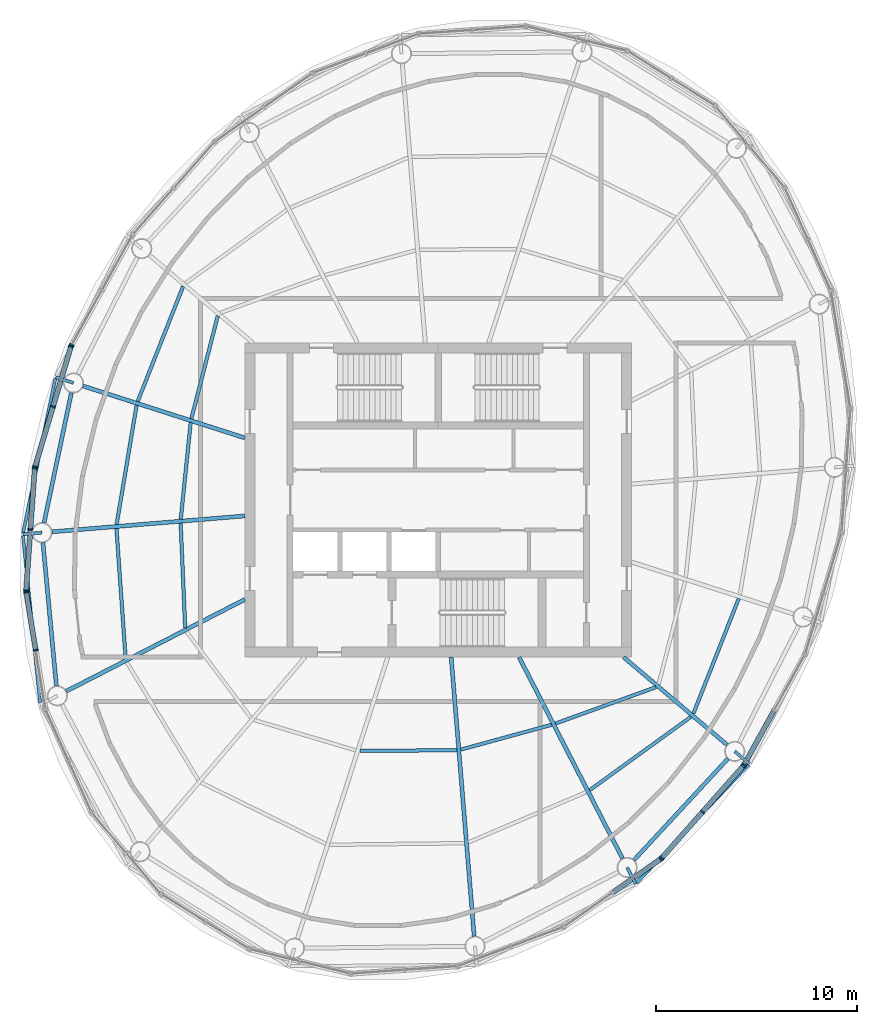
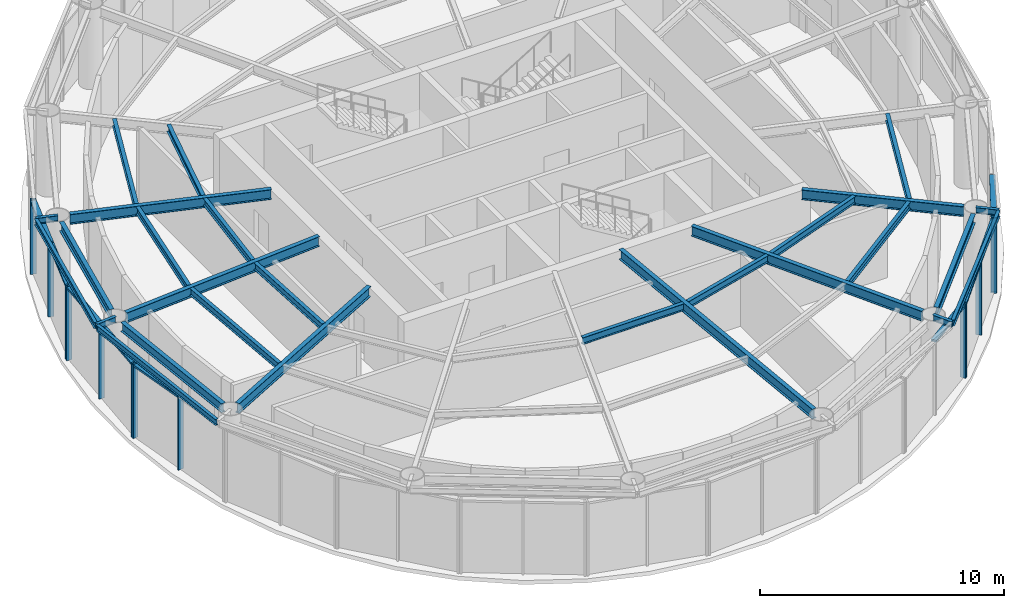
# One storey, part 3 of 11: 27 beams, 23 members, 7 elements without a shape of their own.
"""IFC4 building model written with IfcOpenShell, lengths in metres."""

import ifcopenshell
import ifcopenshell.guid

model = None  # the IFC model being written
_history = None  # IfcOwnerHistory: only IFC2X3 demands one
_inside = {}  # id of a spatial element -> (the spatial element, [elements in it])
_under = {}  # id of a project, library or spatial element -> (it, [spatial elements below it])
_declared = {}  # id of a project -> (the project, [libraries it declares])
_typed = {}  # id of a type object -> (the type object, [elements of that type])
_made_of = {}  # id of a material, layer set ... -> (it, [elements and type objects made of it])


def new_model(schema):
    """Start an empty IFC model of exactly this schema.

    Asked for "IFC4X3", IfcOpenShell would pick the latest addendum, in which some entities
    have other attributes; the version numbers below select the first issue.
    IFC2X3 requires an IfcOwnerHistory on every rooted entity: one is made here for all.
    """
    global model, _history
    if schema == "IFC4X3":
        model = ifcopenshell.file(schema_version=(4, 3, 0, 0))
    else:
        model = ifcopenshell.file(schema=schema)
    _inside.clear()
    _under.clear()
    _declared.clear()
    _typed.clear()
    _made_of.clear()
    _history = None
    if model.schema == "IFC2X3":
        org = make("IfcOrganization", Name="unknown")
        user = make(
            "IfcPersonAndOrganization",
            ThePerson=make("IfcPerson", FamilyName="unknown"),
            TheOrganization=org,
        )
        app = make(
            "IfcApplication",
            ApplicationDeveloper=org,
            Version="unknown",
            ApplicationFullName="unknown",
            ApplicationIdentifier="unknown",
        )
        _history = make(
            "IfcOwnerHistory",
            OwningUser=user,
            OwningApplication=app,
            ChangeAction="ADDED",
            CreationDate=0,
        )
    return model


def make(cls, **values):
    """One entity of the class cls with the attributes given. An attribute that is None is left unset."""
    return model.create_entity(
        cls, **{name: value for name, value in values.items() if value is not None}
    )


def rooted(cls, **values):
    """An entity with a GlobalId (a new one), such as an element, a storey or a relation."""
    return make(cls, GlobalId=ifcopenshell.guid.new(), OwnerHistory=_history, **values)


def si_unit(unit_type, name, prefix=None):
    """IfcSIUnit, for example si_unit("LENGTHUNIT", "METRE", prefix="MILLI")."""
    return make("IfcSIUnit", UnitType=unit_type, Prefix=prefix, Name=name)


def assignment(units):
    """IfcUnitAssignment: the units of a project."""
    return None if units is None else make("IfcUnitAssignment", Units=units)


def point(xyz):
    """IfcCartesianPoint."""
    return None if xyz is None else make("IfcCartesianPoint", Coordinates=xyz)


def direction(xyz):
    """IfcDirection."""
    return None if xyz is None else make("IfcDirection", DirectionRatios=xyz)


def frame(location, z_axis=None, x_axis=None):
    """IfcAxis2Placement3D, a coordinate frame: its origin and axes. An axis left out is left unset."""
    return make(
        "IfcAxis2Placement3D",
        Location=point(location),
        Axis=direction(z_axis),
        RefDirection=direction(x_axis),
    )


def frame_2d(location, x_axis=None):
    """IfcAxis2Placement2D, a coordinate frame in the plane: its origin and x axis."""
    return make(
        "IfcAxis2Placement2D", Location=point(location), RefDirection=direction(x_axis)
    )


def origin():
    """The frame at (0, 0, 0) with its axes left unset."""
    return frame((0.0, 0.0, 0.0))


def origin_2d():
    """The frame at (0, 0) in the plane with its x axis left unset."""
    return frame_2d((0.0, 0.0))


def place(relative_to, where):
    """IfcLocalPlacement: puts the frame where relative to a parent placement (None: the world)."""
    return make(
        "IfcLocalPlacement", PlacementRelTo=relative_to, RelativePlacement=where
    )


def context(
    kind, dimensions, precision=None, world=None, true_north=None, identifier=None
):
    """IfcGeometricRepresentationContext, for example the 3D "Model" context."""
    return make(
        "IfcGeometricRepresentationContext",
        ContextIdentifier=identifier,
        ContextType=kind,
        CoordinateSpaceDimension=dimensions,
        Precision=precision,
        WorldCoordinateSystem=world,
        TrueNorth=true_north,
    )


def subcontext(parent, identifier, kind, view, scale=None):
    """IfcGeometricRepresentationSubContext, for example "Body" below "Model"."""
    return make(
        "IfcGeometricRepresentationSubContext",
        ContextIdentifier=identifier,
        ContextType=kind,
        ParentContext=parent,
        TargetScale=scale,
        TargetView=view,
    )


def project(units=None, contexts=None):
    """IfcProject with its units and contexts."""
    return rooted(
        "IfcProject",
        Name="project",
        RepresentationContexts=contexts,
        UnitsInContext=assignment(units),
    )


def spatial(cls, under=None, at=None, **own):
    """A site, building, storey or space (cls), placed at a placement, below another one or the project."""
    s = rooted(cls, ObjectPlacement=at, **own)
    if under is not None:
        _under.setdefault(under.id(), (under, []))[1].append(s)
    return s


def profile(cls, at=None, kind="AREA", **sizes):
    """A parametric profile (cls). Its sizes go by their IFC names, for example OverallWidth=200.0."""
    return make(cls, ProfileType=kind, Position=at, **sizes)


def rectangle(**sizes):
    """IfcRectangleProfileDef."""
    return profile("IfcRectangleProfileDef", **sizes)


def i_section(**sizes):
    """IfcIShapeProfileDef."""
    return profile("IfcIShapeProfileDef", **sizes)


def extrude(swept, where, along, depth):
    """IfcExtrudedAreaSolid: the profile swept, set in the frame where, extruded along a direction by depth."""
    return make(
        "IfcExtrudedAreaSolid",
        SweptArea=swept,
        Position=where,
        ExtrudedDirection=direction(along),
        Depth=depth,
    )


def shape(context_of_items, identifier, shape_type, items):
    """IfcShapeRepresentation: the items that make up one representation, for example the "Body"."""
    return make(
        "IfcShapeRepresentation",
        ContextOfItems=context_of_items,
        RepresentationIdentifier=identifier,
        RepresentationType=shape_type,
        Items=items,
    )


def material(Name=None, Category=None):
    """IfcMaterial."""
    return make("IfcMaterial", Name=Name, Category=Category)


def material_profile(
    of_material, cross_section, Name=None, Category=None, Priority=None
):
    """IfcMaterialProfile: a cross section and its material."""
    return make(
        "IfcMaterialProfile",
        Name=Name,
        Material=of_material,
        Profile=cross_section,
        Priority=Priority,
        Category=Category,
    )


def profile_set(profiles, Name=None, composite=None):
    """IfcMaterialProfileSet."""
    return make(
        "IfcMaterialProfileSet",
        Name=Name,
        MaterialProfiles=profiles,
        CompositeProfile=composite,
    )


def made_of(thing, what):
    """Note that an element or type object is made of a material, layer set ...; save() writes the relation."""
    if what is not None:
        _made_of.setdefault(what.id(), (what, []))[1].append(thing)
    return thing


def type_object(cls, material=None, **own):
    """A type object (cls), such as IfcWallType, which elements share."""
    return made_of(rooted(cls, **own), material)


def element(
    cls,
    number,
    at=None,
    inside=None,
    cuts=None,
    type_object=None,
    material=None,
    context=None,
    identifier="Body",
    shape_type=None,
    held_by="IfcProductDefinitionShape",
    body=None,
    shapes=None,
    **own,
):
    """One element of the class cls, such as IfcWall. Its Tag is "e" and its number.

    at: its placement. inside: the storey or other place that contains it. cuts: it is an
    opening in that element (IfcRelVoidsElement). A single representation is given by context,
    identifier, shape_type and body (its items); several are given by shapes. held_by: the class
    of the entity that holds the representations. save() writes the other relations.
    """
    e = rooted(cls, Tag="e%d" % number, ObjectPlacement=at, **own)
    if body is not None:
        shapes = [shape(context, identifier, shape_type, body)]
    if shapes is not None:
        e.Representation = make(held_by, Representations=shapes)
    if inside is not None:
        _inside.setdefault(inside.id(), (inside, []))[1].append(e)
    if cuts is not None:
        rooted(
            "IfcRelVoidsElement", RelatingBuildingElement=cuts, RelatedOpeningElement=e
        )
    if type_object is not None:
        _typed.setdefault(type_object.id(), (type_object, []))[1].append(e)
    return made_of(e, material)


def aggregate(whole, parts):
    """IfcRelAggregates: a whole, such as a stair, and the parts it consists of."""
    return rooted("IfcRelAggregates", RelatingObject=whole, RelatedObjects=parts)


def save(model, path):
    """Write the relations noted so far, then the file.

    IfcRelAggregates (storeys below a building ...), IfcRelContainedInSpatialStructure (elements
    in a storey), IfcRelDefinesByType, IfcRelAssociatesMaterial and IfcRelDeclares: one each for
    every whole, place, type object, material and project.
    """
    for whole, parts in _under.values():
        aggregate(whole, parts)
    for where, things in _inside.values():
        rooted(
            "IfcRelContainedInSpatialStructure",
            RelatedElements=things,
            RelatingStructure=where,
        )
    for kind, things in _typed.values():
        rooted("IfcRelDefinesByType", RelatedObjects=things, RelatingType=kind)
    for what, things in _made_of.values():
        rooted("IfcRelAssociatesMaterial", RelatedObjects=things, RelatingMaterial=what)
    for by, libraries in _declared.values():
        rooted("IfcRelDeclares", RelatingContext=by, RelatedDefinitions=libraries)
    model.write(path)


model = new_model("IFC4")

# Units and contexts
model_context = context("Model", 3, precision=1e-05, world=origin(), true_north=direction((0.0, 1.0)))
body_context = subcontext(model_context, "Body", "Model", "MODEL_VIEW")
ifc_project = project(units=[si_unit("LENGTHUNIT", "METRE"), si_unit("AREAUNIT", "SQUARE_METRE"), si_unit("VOLUMEUNIT", "CUBIC_METRE"), si_unit("PLANEANGLEUNIT", "RADIAN"), si_unit("MASSUNIT", "GRAM", prefix="KILO")], contexts=[model_context])

# Site, building, storey
site_placement = place(None, origin())
site = spatial("IfcSite", under=ifc_project, at=site_placement, CompositionType="ELEMENT")
building_placement = place(site_placement, origin())
building = spatial("IfcBuilding", under=site, at=building_placement, Name="Vermilion Reach Broadcast Tower", CompositionType="ELEMENT")
storey_placement = place(building_placement, frame((0.0, 0.0, 317.10009765625)))
storey = spatial("IfcBuildingStorey", under=building, at=storey_placement, Name="L79 CROWN", CompositionType="ELEMENT", Elevation=317.10009765625)

# Curtain wall, member
ifc_material_1 = material(Name="Low-e laminated clear glass in aluminium frame", Category="aluminium")
curtain_wall_type = type_object("IfcCurtainWallType", Name="Crown glazing curtain wall", PredefinedType="NOTDEFINED", material=ifc_material_1)
placement = place(storey_placement, origin())
curtain_wall_1 = element("IfcCurtainWall", 1, at=placement, inside=storey, type_object=curtain_wall_type, Name="Crown glazing L79 CROWN 06", PredefinedType="NOTDEFINED")
ifc_material_2 = material(Name="Anodised aluminium", Category="aluminium")
ifc_material_profile_1 = material_profile(ifc_material_2, rectangle(XDim=0.25, YDim=0.080078125, at=origin_2d()), Name="Crown glazing mullion 80 x 250")
ifc_profile_set_1 = profile_set([ifc_material_profile_1], Name="Anodised aluminium")
member_type_1 = type_object("IfcMemberType", Name="Crown glazing mullion 80 x 250", PredefinedType="MULLION", material=ifc_profile_set_1)
member_1_placement = place(storey_placement, frame((-24.196533203125, 7.6923828125, 0.0), z_axis=(0.0, 0.0, 1.0), x_axis=(0.874983200268, -0.484153280738, 0.0)))
member_1 = element("IfcMember", 2, at=member_1_placement, type_object=member_type_1, Name="Crown glazing mullion L79 CROWN 06.3", PredefinedType="MULLION", context=body_context, shape_type="SweptSolid", body=[
    extrude(rectangle(XDim=0.25, YDim=0.080078125, at=origin_2d()), origin(), (0.0, 0.0, 1.0), 3.699951171875),
])
aggregate(curtain_wall_1, [member_1])

# Curtain wall, members
curtain_wall_2 = element("IfcCurtainWall", 3, at=placement, inside=storey, type_object=curtain_wall_type, Name="Crown glazing L79 CROWN 07", PredefinedType="NOTDEFINED")
member_2_placement = place(storey_placement, frame((-24.2275390625, 7.618896484375, 0.0), z_axis=(0.0, 0.0, 1.0), x_axis=(0.958107940789, -0.286407356394, 0.0)))
member_2 = element("IfcMember", 4, at=member_2_placement, type_object=member_type_1, Name="Crown glazing mullion L79 CROWN 07.1", PredefinedType="MULLION", context=body_context, shape_type="SweptSolid", body=[
    extrude(rectangle(XDim=0.25, YDim=0.080078125, at=origin_2d()), origin(), (0.0, 0.0, 1.0), 3.699951171875),
])
member_3_placement = place(storey_placement, frame((-25.119384765625, 4.635498046875, 0.0), z_axis=(0.0, 0.0, 1.0), x_axis=(0.958107940789, -0.286407356394, 0.0)))
member_3 = element("IfcMember", 5, at=member_3_placement, type_object=member_type_1, Name="Crown glazing mullion L79 CROWN 07.2", PredefinedType="MULLION", context=body_context, shape_type="SweptSolid", body=[
    extrude(rectangle(XDim=0.25, YDim=0.080078125, at=origin_2d()), origin(), (0.0, 0.0, 1.0), 3.699951171875),
])
member_4_placement = place(storey_placement, frame((-26.01123046875, 1.65185546875, 0.0), z_axis=(0.0, 0.0, 1.0), x_axis=(0.958107940789, -0.286407356394, 0.0)))
member_4 = element("IfcMember", 6, at=member_4_placement, type_object=member_type_1, Name="Crown glazing mullion L79 CROWN 07.3", PredefinedType="MULLION", context=body_context, shape_type="SweptSolid", body=[
    extrude(rectangle(XDim=0.25, YDim=0.080078125, at=origin_2d()), origin(), (0.0, 0.0, 1.0), 3.699951171875),
])

curtain_wall_3 = element("IfcCurtainWall", 7, at=placement, inside=storey, type_object=curtain_wall_type, Name="Crown glazing L79 CROWN 08", PredefinedType="NOTDEFINED")
member_5_placement = place(storey_placement, frame((-26.025390625, 1.57373046875, 0.0), z_axis=(0.0, 0.0, 1.0), x_axis=(0.997499557729, -0.070672712769, 0.0)))
member_5 = element("IfcMember", 8, at=member_5_placement, type_object=member_type_1, Name="Crown glazing mullion L79 CROWN 08.1", PredefinedType="MULLION", context=body_context, shape_type="SweptSolid", body=[
    extrude(rectangle(XDim=0.25, YDim=0.080078125, at=origin_2d()), origin(), (0.0, 0.0, 1.0), 3.699951171875),
])
member_6_placement = place(storey_placement, frame((-26.240478515625, -1.46240234375, 0.0), z_axis=(0.0, 0.0, 1.0), x_axis=(0.997499557729, -0.070672712769, 0.0)))
member_6 = element("IfcMember", 9, at=member_6_placement, type_object=member_type_1, Name="Crown glazing mullion L79 CROWN 08.2", PredefinedType="MULLION", context=body_context, shape_type="SweptSolid", body=[
    extrude(rectangle(XDim=0.25, YDim=0.080078125, at=origin_2d()), origin(), (0.0, 0.0, 1.0), 3.699951171875),
])
member_7_placement = place(storey_placement, frame((-26.455810546875, -4.49853515625, 0.0), z_axis=(0.0, 0.0, 1.0), x_axis=(0.997499557729, -0.070672712769, 0.0)))
member_7 = element("IfcMember", 10, at=member_7_placement, type_object=member_type_1, Name="Crown glazing mullion L79 CROWN 08.3", PredefinedType="MULLION", context=body_context, shape_type="SweptSolid", body=[
    extrude(rectangle(XDim=0.25, YDim=0.080078125, at=origin_2d()), origin(), (0.0, 0.0, 1.0), 3.699951171875),
])

curtain_wall_4 = element("IfcCurtainWall", 11, at=placement, inside=storey, type_object=curtain_wall_type, Name="Crown glazing L79 CROWN 09", PredefinedType="NOTDEFINED")
member_8_placement = place(storey_placement, frame((-26.451904296875, -4.577880859375, 0.0), z_axis=(0.0, 0.0, 1.0), x_axis=(0.986689101121, 0.162618011697, 0.0)))
member_8 = element("IfcMember", 12, at=member_8_placement, type_object=member_type_1, Name="Crown glazing mullion L79 CROWN 09.1", PredefinedType="MULLION", context=body_context, shape_type="SweptSolid", body=[
    extrude(rectangle(XDim=0.25, YDim=0.080078125, at=origin_2d()), origin(), (0.0, 0.0, 1.0), 3.699951171875),
])
member_9_placement = place(storey_placement, frame((-25.9775390625, -7.456787109375, 0.0), z_axis=(0.0, 0.0, 1.0), x_axis=(0.986689101121, 0.162618011697, 0.0)))
member_9 = element("IfcMember", 13, at=member_9_placement, type_object=member_type_1, Name="Crown glazing mullion L79 CROWN 09.2", PredefinedType="MULLION", context=body_context, shape_type="SweptSolid", body=[
    extrude(rectangle(XDim=0.25, YDim=0.080078125, at=origin_2d()), origin(), (0.0, 0.0, 1.0), 3.699951171875),
])

# Curtain wall, member
curtain_wall_5 = element("IfcCurtainWall", 14, at=placement, inside=storey, type_object=curtain_wall_type, Name="Crown glazing L79 CROWN 16", PredefinedType="NOTDEFINED")
member_10_placement = place(storey_placement, frame((5.038818359375, -17.8154296875, 0.0), z_axis=(0.0, 0.0, 1.0), x_axis=(-0.574163969023, 0.818740335317, 0.0)))
member_10 = element("IfcMember", 15, at=member_10_placement, type_object=member_type_1, Name="Crown glazing mullion L79 CROWN 16.3", PredefinedType="MULLION", context=body_context, shape_type="SweptSolid", body=[
    extrude(rectangle(XDim=0.25, YDim=0.080078125, at=origin_2d()), origin(), (0.0, 0.0, 1.0), 3.699951171875),
])

# Curtain wall, members
curtain_wall_6 = element("IfcCurtainWall", 16, at=placement, inside=storey, type_object=curtain_wall_type, Name="Crown glazing L79 CROWN 17", PredefinedType="NOTDEFINED")
member_11_placement = place(storey_placement, frame((5.09814453125, -17.762451171875, 0.0), z_axis=(0.0, 0.0, 1.0), x_axis=(-0.748407682668, 0.663238976934, 0.0)))
member_11 = element("IfcMember", 17, at=member_11_placement, type_object=member_type_1, Name="Crown glazing mullion L79 CROWN 17.1", PredefinedType="MULLION", context=body_context, shape_type="SweptSolid", body=[
    extrude(rectangle(XDim=0.25, YDim=0.080078125, at=origin_2d()), origin(), (0.0, 0.0, 1.0), 3.699951171875),
])
member_12_placement = place(storey_placement, frame((7.11669921875, -15.484619140625, 0.0), z_axis=(0.0, 0.0, 1.0), x_axis=(-0.748407682668, 0.663238976934, 0.0)))
member_12 = element("IfcMember", 18, at=member_12_placement, type_object=member_type_1, Name="Crown glazing mullion L79 CROWN 17.2", PredefinedType="MULLION", context=body_context, shape_type="SweptSolid", body=[
    extrude(rectangle(XDim=0.25, YDim=0.080078125, at=origin_2d()), origin(), (0.0, 0.0, 1.0), 3.699951171875),
])
member_13_placement = place(storey_placement, frame((9.135498046875, -13.20654296875, 0.0), z_axis=(0.0, 0.0, 1.0), x_axis=(-0.748407682668, 0.663238976934, 0.0)))
member_13 = element("IfcMember", 19, at=member_13_placement, type_object=member_type_1, Name="Crown glazing mullion L79 CROWN 17.3", PredefinedType="MULLION", context=body_context, shape_type="SweptSolid", body=[
    extrude(rectangle(XDim=0.25, YDim=0.080078125, at=origin_2d()), origin(), (0.0, 0.0, 1.0), 3.699951171875),
])

# Curtain wall, member
curtain_wall_7 = element("IfcCurtainWall", 20, at=placement, inside=storey, type_object=curtain_wall_type, Name="Crown glazing L79 CROWN 18", PredefinedType="NOTDEFINED")
member_14_placement = place(storey_placement, frame((9.181396484375, -13.1416015625, 0.0), z_axis=(0.0, 0.0, 1.0), x_axis=(-0.874983200268, 0.484153280738, 0.0)))
member_14 = element("IfcMember", 21, at=member_14_placement, type_object=member_type_1, Name="Crown glazing mullion L79 CROWN 18.1", PredefinedType="MULLION", context=body_context, shape_type="SweptSolid", body=[
    extrude(rectangle(XDim=0.25, YDim=0.080078125, at=origin_2d()), origin(), (0.0, 0.0, 1.0), 3.699951171875),
])

# Member
ifc_material_3 = material(Name="Anodised aluminium", Category="aluminium")
ifc_material_profile_2 = material_profile(ifc_material_3, rectangle(XDim=0.25, YDim=0.10009765625, at=origin_2d()), Name="Crown glazing transom 250 x 100")
ifc_profile_set_2 = profile_set([ifc_material_profile_2], Name="Anodised aluminium")
member_type_2 = type_object("IfcMemberType", Name="Crown glazing transom 250 x 100", PredefinedType="USERDEFINED", material=ifc_profile_set_2)
member_15_placement = place(storey_placement, frame((-24.239013671875, 7.58056640625, 3.64990234375), z_axis=(-0.286402743865, -0.958109319601, 0.0), x_axis=(0.958109319601, -0.286402743865, 0.0)))
member_15 = element("IfcMember", 22, at=member_15_placement, type_object=member_type_2, Name="Crown glazing transom L79 CROWN 07.1.2", ObjectType="TRANSOM", PredefinedType="USERDEFINED", context=body_context, shape_type="SweptSolid", body=[
    extrude(rectangle(XDim=0.25, YDim=0.10009765625, at=origin_2d()), origin(), (0.0, 0.0, 1.0), 3.033935546875),
])

member_16_placement = place(storey_placement, frame((-25.130859375, 4.59716796875, 3.64990234375), z_axis=(-0.286380663338, -0.958115919744, 0.0), x_axis=(0.958115919744, -0.286380663338, 0.0)))
member_16 = element("IfcMember", 23, at=member_16_placement, type_object=member_type_2, Name="Crown glazing transom L79 CROWN 07.2.2", ObjectType="TRANSOM", PredefinedType="USERDEFINED", context=body_context, shape_type="SweptSolid", body=[
    extrude(rectangle(XDim=0.25, YDim=0.10009765625, at=origin_2d()), origin(), (0.0, 0.0, 1.0), 3.0341796875),
])

aggregate(curtain_wall_2, [member_2, member_3, member_4, member_15, member_16])

member_17_placement = place(storey_placement, frame((-26.0283203125, 1.533935546875, 3.64990234375), z_axis=(-0.07067918302, -0.997499099292, 0.0), x_axis=(0.997499099292, -0.07067918302, 0.0)))
member_17 = element("IfcMember", 24, at=member_17_placement, type_object=member_type_2, Name="Crown glazing transom L79 CROWN 08.1.2", ObjectType="TRANSOM", PredefinedType="USERDEFINED", context=body_context, shape_type="SweptSolid", body=[
    extrude(rectangle(XDim=0.25, YDim=0.10009765625, at=origin_2d()), origin(), (0.0, 0.0, 1.0), 2.963623046875),
])

member_18_placement = place(storey_placement, frame((-26.243408203125, -1.502197265625, 3.64990234375), z_axis=(-0.07067918302, -0.997499099292, 0.0), x_axis=(0.997499099292, -0.07067918302, 0.0)))
member_18 = element("IfcMember", 25, at=member_18_placement, type_object=member_type_2, Name="Crown glazing transom L79 CROWN 08.2.2", ObjectType="TRANSOM", PredefinedType="USERDEFINED", context=body_context, shape_type="SweptSolid", body=[
    extrude(rectangle(XDim=0.25, YDim=0.10009765625, at=origin_2d()), origin(), (0.0, 0.0, 1.0), 2.963623046875),
])

aggregate(curtain_wall_3, [member_5, member_6, member_7, member_17, member_18])

member_19_placement = place(storey_placement, frame((-26.445556640625, -4.6171875, 3.64990234375), z_axis=(0.162599033258, -0.986692228805, 0.0), x_axis=(0.986692228805, 0.162599033258, 0.0)))
member_19 = element("IfcMember", 26, at=member_19_placement, type_object=member_type_2, Name="Crown glazing transom L79 CROWN 09.1.2", ObjectType="TRANSOM", PredefinedType="USERDEFINED", context=body_context, shape_type="SweptSolid", body=[
    extrude(rectangle(XDim=0.25, YDim=0.10009765625, at=origin_2d()), origin(), (0.0, 0.0, 1.0), 2.837890625),
])

aggregate(curtain_wall_4, [member_8, member_9, member_19])

member_20_placement = place(storey_placement, frame((2.6826171875, -19.4677734375, 3.64990234375), z_axis=(0.818742582552, 0.574160764522, 0.0), x_axis=(-0.574160764522, 0.818742582552, 0.0)))
member_20 = element("IfcMember", 27, at=member_20_placement, type_object=member_type_2, Name="Crown glazing transom L79 CROWN 16.2.2", ObjectType="TRANSOM", PredefinedType="USERDEFINED", context=body_context, shape_type="SweptSolid", body=[
    extrude(rectangle(XDim=0.25, YDim=0.10009765625, at=origin_2d()), origin(), (0.0, 0.0, 1.0), 2.837890625),
])

aggregate(curtain_wall_5, [member_10, member_20])

member_21_placement = place(storey_placement, frame((5.12451171875, -17.732421875, 3.64990234375), z_axis=(0.663279205809, 0.748372029903, 0.0), x_axis=(-0.748372029903, 0.663279205809, 0.0)))
member_21 = element("IfcMember", 28, at=member_21_placement, type_object=member_type_2, Name="Crown glazing transom L79 CROWN 17.1.2", ObjectType="TRANSOM", PredefinedType="USERDEFINED", context=body_context, shape_type="SweptSolid", body=[
    extrude(rectangle(XDim=0.25, YDim=0.10009765625, at=origin_2d()), origin(), (0.0, 0.0, 1.0), 2.9638671875),
])

member_22_placement = place(storey_placement, frame((7.143310546875, -15.45458984375, 3.64990234375), z_axis=(0.663233067327, 0.74841291972, 0.0), x_axis=(-0.74841291972, 0.663233067327, 0.0)))
member_22 = element("IfcMember", 29, at=member_22_placement, type_object=member_type_2, Name="Crown glazing transom L79 CROWN 17.2.2", ObjectType="TRANSOM", PredefinedType="USERDEFINED", context=body_context, shape_type="SweptSolid", body=[
    extrude(rectangle(XDim=0.25, YDim=0.10009765625, at=origin_2d()), origin(), (0.0, 0.0, 1.0), 2.963623046875),
])

aggregate(curtain_wall_6, [member_11, member_12, member_13, member_21, member_22])

member_23_placement = place(storey_placement, frame((9.20068359375, -13.106689453125, 3.64990234375), z_axis=(0.484159697597, 0.874979649605, 0.0), x_axis=(-0.874979649605, 0.484159697597, 0.0)))
member_23 = element("IfcMember", 30, at=member_23_placement, type_object=member_type_2, Name="Crown glazing transom L79 CROWN 18.1.2", ObjectType="TRANSOM", PredefinedType="USERDEFINED", context=body_context, shape_type="SweptSolid", body=[
    extrude(rectangle(XDim=0.25, YDim=0.10009765625, at=origin_2d()), origin(), (0.0, 0.0, 1.0), 3.0341796875),
])

aggregate(curtain_wall_7, [member_14, member_23])

# Beams
ifc_material_4 = material(Name="Steel S355J2", Category="steel")
ifc_material_profile_3 = material_profile(ifc_material_4, i_section(OverallWidth=0.14990234375, OverallDepth=0.300048828125, WebThickness=0.006591796875, FlangeThickness=0.009033203125, at=origin_2d()), Name="S355J2 HN 300x150x6.5x9")
ifc_profile_set_3 = profile_set([ifc_material_profile_3], Name="Steel S355J2")
beam_type_1 = type_object("IfcBeamType", Name="EB5 HN 300x150x6.5x9", PredefinedType="BEAM", material=ifc_profile_set_3)
beam_1_placement = place(storey_placement, frame((-25.00439453125, 6.019287109375, 3.849853515625), z_axis=(-0.204738436734, -0.978816720599, 0.0), x_axis=(0.978816720599, -0.204738436734, 0.0)))
element("IfcBeam", 31, at=beam_1_placement, inside=storey, type_object=beam_type_1, Name="Edge beam EB5-05", PredefinedType="BEAM", context=body_context, shape_type="SweptSolid", body=[
    extrude(i_section(OverallWidth=0.14990234375, OverallDepth=0.300048828125, WebThickness=0.006591796875, FlangeThickness=0.009033203125, at=origin_2d()), origin(), (0.0, 0.0, 1.0), 7.806884765625),
])
beam_2_placement = place(storey_placement, frame((-26.611083984375, -1.7734375, 3.849853515625), z_axis=(0.102011792202, -0.99478318957, 0.0), x_axis=(0.99478318957, 0.102011792202, 0.0)))
element("IfcBeam", 32, at=beam_2_placement, inside=storey, type_object=beam_type_1, Name="Edge beam EB5-06", PredefinedType="BEAM", context=body_context, shape_type="SweptSolid", body=[
    extrude(i_section(OverallWidth=0.14990234375, OverallDepth=0.300048828125, WebThickness=0.006591796875, FlangeThickness=0.009033203125, at=origin_2d()), origin(), (0.0, 0.0, 1.0), 8.34521484375),
])
beam_3_placement = place(storey_placement, frame((3.85400390625, -19.001708984375, 3.849853515625), z_axis=(0.687701793008, 0.725993280888, 0.0), x_axis=(-0.725993280888, 0.687701793008, 0.0)))
element("IfcBeam", 33, at=beam_3_placement, inside=storey, type_object=beam_type_1, Name="Edge beam EB5-11", PredefinedType="BEAM", context=body_context, shape_type="SweptSolid", body=[
    extrude(i_section(OverallWidth=0.14990234375, OverallDepth=0.300048828125, WebThickness=0.006591796875, FlangeThickness=0.009033203125, at=origin_2d()), origin(), (0.0, 0.0, 1.0), 8.05908203125),
])
ifc_material_5 = material(Name="Steel S355J2", Category="steel")
ifc_material_profile_4 = material_profile(ifc_material_5, i_section(OverallWidth=0.199951171875, OverallDepth=0.5, WebThickness=0.010009765625, FlangeThickness=0.01611328125, at=origin_2d()), Name="S355J2 HN 500x200x10x16")
ifc_profile_set_4 = profile_set([ifc_material_profile_4], Name="Steel S355J2")
beam_type_2 = type_object("IfcBeamType", Name="G5 HN 500x200x10x16", PredefinedType="BEAM", material=ifc_profile_set_4)
beam_4_placement = place(storey_placement, frame((-15.60009765625, 3.080322265625, 3.75), z_axis=(-0.952178453449, 0.305542456604, 0.0), x_axis=(-0.305542456604, -0.952178453449, 0.0)))
element("IfcBeam", 34, at=beam_4_placement, inside=storey, type_object=beam_type_2, Name="Girder G5-05", PredefinedType="BEAM", context=body_context, shape_type="SweptSolid", body=[
    extrude(i_section(OverallWidth=0.199951171875, OverallDepth=0.5, WebThickness=0.010009765625, FlangeThickness=0.01611328125, at=origin_2d()), origin(), (0.0, 0.0, 1.0), 8.43310546875),
])
beam_5_placement = place(storey_placement, frame((-15.60009765625, -0.791015625, 3.75), z_axis=(-0.996624410075, -0.082096195058, 0.0), x_axis=(0.082096195058, -0.996624410075, 0.0)))
element("IfcBeam", 35, at=beam_5_placement, inside=storey, type_object=beam_type_2, Name="Girder G5-06", PredefinedType="BEAM", context=body_context, shape_type="SweptSolid", body=[
    extrude(i_section(OverallWidth=0.199951171875, OverallDepth=0.5, WebThickness=0.010009765625, FlangeThickness=0.01611328125, at=origin_2d()), origin(), (0.0, 0.0, 1.0), 9.599609375),
])
beam_6_placement = place(storey_placement, frame((-15.60009765625, -4.935791015625, 3.75), z_axis=(-0.889332502449, -0.457261085254, 0.0), x_axis=(0.457261085254, -0.889332502449, 0.0)))
element("IfcBeam", 36, at=beam_6_placement, inside=storey, type_object=beam_type_2, Name="Girder G5-07", PredefinedType="BEAM", context=body_context, shape_type="SweptSolid", body=[
    extrude(i_section(OverallWidth=0.199951171875, OverallDepth=0.5, WebThickness=0.010009765625, FlangeThickness=0.01611328125, at=origin_2d()), origin(), (0.0, 0.0, 1.0), 9.96337890625),
])
beam_7_placement = place(storey_placement, frame((-5.357421875, -7.800048828125, 3.75), z_axis=(0.082123744247, -0.996622140347, 0.0), x_axis=(0.996622140347, 0.082123744247, 0.0)))
element("IfcBeam", 37, at=beam_7_placement, inside=storey, type_object=beam_type_2, Name="Girder G5-10", PredefinedType="BEAM", context=body_context, shape_type="SweptSolid", body=[
    extrude(i_section(OverallWidth=0.199951171875, OverallDepth=0.5, WebThickness=0.010009765625, FlangeThickness=0.01611328125, at=origin_2d()), origin(), (0.0, 0.0, 1.0), 13.89794921875),
])
beam_8_placement = place(storey_placement, frame((-1.989501953125, -7.800048828125, 3.75), z_axis=(0.457258168112, -0.889334002327, 0.0), x_axis=(0.889334002327, 0.457258168112, 0.0)))
element("IfcBeam", 38, at=beam_8_placement, inside=storey, type_object=beam_type_2, Name="Girder G5-11", PredefinedType="BEAM", context=body_context, shape_type="SweptSolid", body=[
    extrude(i_section(OverallWidth=0.199951171875, OverallDepth=0.5, WebThickness=0.010009765625, FlangeThickness=0.01611328125, at=origin_2d()), origin(), (0.0, 0.0, 1.0), 11.236328125),
])
beam_9_placement = place(storey_placement, frame((3.20068359375, -7.800048828125, 3.75), z_axis=(0.762793125612, -0.646642596431, 0.0), x_axis=(0.646642596431, 0.762793125612, 0.0)))
element("IfcBeam", 39, at=beam_9_placement, inside=storey, type_object=beam_type_2, Name="Girder G5-12", PredefinedType="BEAM", context=body_context, shape_type="SweptSolid", body=[
    extrude(i_section(OverallWidth=0.199951171875, OverallDepth=0.5, WebThickness=0.010009765625, FlangeThickness=0.01611328125, at=origin_2d()), origin(), (0.0, 0.0, 1.0), 6.732421875),
])
ifc_material_6 = material(Name="Steel S355J2", Category="steel")
ifc_material_profile_5 = material_profile(ifc_material_6, i_section(OverallWidth=0.14990234375, OverallDepth=0.300048828125, WebThickness=0.006591796875, FlangeThickness=0.009033203125, at=origin_2d()), Name="S355J2 HN 300x150x6.5x9")
ifc_profile_set_5 = profile_set([ifc_material_profile_5], Name="Steel S355J2")
beam_type_3 = type_object("IfcBeamType", Name="GS5 HN 300x150x6.5x9", PredefinedType="BEAM", material=ifc_profile_set_5)
beam_10_placement = place(storey_placement, frame((-24.10595703125, 5.809814453125, 3.849853515625), z_axis=(-0.952228317443, 0.305387019141, 0.0), x_axis=(-0.305387019141, -0.952228317443, 0.0)))
element("IfcBeam", 40, at=beam_10_placement, inside=storey, type_object=beam_type_3, Name="Cantilever stub GS5-05", PredefinedType="BEAM", context=body_context, shape_type="SweptSolid", body=[
    extrude(i_section(OverallWidth=0.14990234375, OverallDepth=0.300048828125, WebThickness=0.006591796875, FlangeThickness=0.009033203125, at=origin_2d()), origin(), (0.0, 0.0, 1.0), 0.92724609375),
])
beam_11_placement = place(storey_placement, frame((-25.665771484375, -1.620361328125, 3.849853515625), z_axis=(-0.996634988565, -0.081967673925, 0.0), x_axis=(0.081967673925, -0.996634988565, 0.0)))
element("IfcBeam", 41, at=beam_11_placement, inside=storey, type_object=beam_type_3, Name="Cantilever stub GS5-06", PredefinedType="BEAM", context=body_context, shape_type="SweptSolid", body=[
    extrude(i_section(OverallWidth=0.14990234375, OverallDepth=0.300048828125, WebThickness=0.006591796875, FlangeThickness=0.009033203125, at=origin_2d()), origin(), (0.0, 0.0, 1.0), 0.9560546875),
])
beam_12_placement = place(storey_placement, frame((3.376953125, -18.23779296875, 3.849853515625), z_axis=(0.457228572872, -0.889349218333, 0.0), x_axis=(0.889349218333, 0.457228572872, 0.0)))
element("IfcBeam", 42, at=beam_12_placement, inside=storey, type_object=beam_type_3, Name="Cantilever stub GS5-11", PredefinedType="BEAM", context=body_context, shape_type="SweptSolid", body=[
    extrude(i_section(OverallWidth=0.14990234375, OverallDepth=0.300048828125, WebThickness=0.006591796875, FlangeThickness=0.009033203125, at=origin_2d()), origin(), (0.0, 0.0, 1.0), 0.923828125),
])
beam_13_placement = place(storey_placement, frame((8.717529296875, -12.476806640625, 3.849853515625), z_axis=(0.762718692688, -0.64673038882, 0.0), x_axis=(0.64673038882, 0.762718692688, 0.0)))
element("IfcBeam", 43, at=beam_13_placement, inside=storey, type_object=beam_type_3, Name="Cantilever stub GS5-12", PredefinedType="BEAM", context=body_context, shape_type="SweptSolid", body=[
    extrude(i_section(OverallWidth=0.14990234375, OverallDepth=0.300048828125, WebThickness=0.006591796875, FlangeThickness=0.009033203125, at=origin_2d()), origin(), (0.0, 0.0, 1.0), 0.957763671875),
])
ifc_material_7 = material(Name="Steel S355J2", Category="steel")
ifc_material_profile_6 = material_profile(ifc_material_7, i_section(OverallWidth=0.199951171875, OverallDepth=0.449951171875, WebThickness=0.009033203125, FlangeThickness=0.013916015625, at=origin_2d()), Name="S355J2 HN 450x200x9x14")
ifc_profile_set_6 = profile_set([ifc_material_profile_6], Name="Steel S355J2")
beam_type_4 = type_object("IfcBeamType", Name="RB5 HN 450x200x9x14", PredefinedType="BEAM", material=ifc_profile_set_6)
beam_14_placement = place(storey_placement, frame((-24.208740234375, 5.3203125, 3.77490234375), z_axis=(-0.205444869285, -0.978668690459, 0.0), x_axis=(0.978668690459, -0.205444869285, 0.0)))
element("IfcBeam", 44, at=beam_14_placement, inside=storey, type_object=beam_type_4, Name="Ring beam RB5-05", PredefinedType="BEAM", context=body_context, shape_type="SweptSolid", body=[
    extrude(i_section(OverallWidth=0.199951171875, OverallDepth=0.449951171875, WebThickness=0.009033203125, FlangeThickness=0.013916015625, at=origin_2d()), origin(), (0.0, 0.0, 1.0), 6.591796875),
])
beam_15_placement = place(storey_placement, frame((-25.618896484375, -2.1181640625, 3.77490234375), z_axis=(0.093441399272, -0.995624781181, 0.0), x_axis=(0.995624781181, 0.093441399272, 0.0)))
element("IfcBeam", 45, at=beam_15_placement, inside=storey, type_object=beam_type_4, Name="Ring beam RB5-06", PredefinedType="BEAM", context=body_context, shape_type="SweptSolid", body=[
    extrude(i_section(OverallWidth=0.199951171875, OverallDepth=0.449951171875, WebThickness=0.009033203125, FlangeThickness=0.013916015625, at=origin_2d()), origin(), (0.0, 0.0, 1.0), 7.135498046875),
])
beam_16_placement = place(storey_placement, frame((3.716796875, -17.87109375, 3.77490234375), z_axis=(0.679837550075, 0.733362738014, 0.0), x_axis=(-0.733362738014, 0.679837550075, 0.0)))
element("IfcBeam", 46, at=beam_16_placement, inside=storey, type_object=beam_type_4, Name="Ring beam RB5-11", PredefinedType="BEAM", context=body_context, shape_type="SweptSolid", body=[
    extrude(i_section(OverallWidth=0.199951171875, OverallDepth=0.449951171875, WebThickness=0.009033203125, FlangeThickness=0.013916015625, at=origin_2d()), origin(), (0.0, 0.0, 1.0), 6.85546875),
])
ifc_material_8 = material(Name="Steel S355J2", Category="steel")
ifc_material_profile_7 = material_profile(ifc_material_8, i_section(OverallWidth=0.175048828125, OverallDepth=0.35009765625, WebThickness=0.007080078125, FlangeThickness=0.010986328125, at=origin_2d()), Name="S355J2 HN 350x175x7x11")
ifc_profile_set_7 = profile_set([ifc_material_profile_7], Name="Steel S355J2")
beam_type_5 = type_object("IfcBeamType", Name="SB5 HN 350x175x7x11", PredefinedType="BEAM", material=ifc_profile_set_7)
beam_17_placement = place(storey_placement, frame((-16.940185546875, 9.1435546875, 3.824951171875), z_axis=(-0.248729575729, -0.968572969971, 0.0), x_axis=(0.968572969971, -0.248729575729, 0.0)))
element("IfcBeam", 47, at=beam_17_placement, inside=storey, type_object=beam_type_5, Name="Secondary beam SB5-04-1", PredefinedType="BEAM", context=body_context, shape_type="SweptSolid", body=[
    extrude(i_section(OverallWidth=0.175048828125, OverallDepth=0.35009765625, WebThickness=0.007080078125, FlangeThickness=0.010986328125, at=origin_2d()), origin(), (0.0, 0.0, 1.0), 5.27294921875),
])
beam_18_placement = place(storey_placement, frame((-18.6630859375, 10.604248046875, 3.824951171875), z_axis=(-0.366931189603, -0.930248086317, 0.0), x_axis=(0.930248086317, -0.366931189603, 0.0)))
element("IfcBeam", 48, at=beam_18_placement, inside=storey, type_object=beam_type_5, Name="Secondary beam SB5-04-2", PredefinedType="BEAM", context=body_context, shape_type="SweptSolid", body=[
    extrude(i_section(OverallWidth=0.175048828125, OverallDepth=0.35009765625, WebThickness=0.007080078125, FlangeThickness=0.010986328125, at=origin_2d()), origin(), (0.0, 0.0, 1.0), 6.141357421875),
])
beam_19_placement = place(storey_placement, frame((-18.287109375, 3.837646484375, 3.824951171875), z_axis=(-0.102113775264, -0.994772726255, 0.0), x_axis=(0.994772726255, -0.102113775264, 0.0)))
element("IfcBeam", 49, at=beam_19_placement, inside=storey, type_object=beam_type_5, Name="Secondary beam SB5-05-1", PredefinedType="BEAM", context=body_context, shape_type="SweptSolid", body=[
    extrude(i_section(OverallWidth=0.175048828125, OverallDepth=0.35009765625, WebThickness=0.007080078125, FlangeThickness=0.010986328125, at=origin_2d()), origin(), (0.0, 0.0, 1.0), 4.815185546875),
])
beam_20_placement = place(storey_placement, frame((-20.969970703125, 4.698486328125, 3.824951171875), z_axis=(-0.16532337011, -0.986239414795, 0.0), x_axis=(0.986239414795, -0.16532337011, 0.0)))
element("IfcBeam", 50, at=beam_20_placement, inside=storey, type_object=beam_type_5, Name="Secondary beam SB5-05-2", PredefinedType="BEAM", context=body_context, shape_type="SweptSolid", body=[
    extrude(i_section(OverallWidth=0.175048828125, OverallDepth=0.35009765625, WebThickness=0.007080078125, FlangeThickness=0.010986328125, at=origin_2d()), origin(), (0.0, 0.0, 1.0), 5.99560546875),
])
beam_21_placement = place(storey_placement, frame((-18.78466796875, -1.153564453125, 3.824951171875), z_axis=(0.043557530017, -0.999050920413, 0.0), x_axis=(0.999050920413, 0.043557530017, 0.0)))
element("IfcBeam", 51, at=beam_21_placement, inside=storey, type_object=beam_type_5, Name="Secondary beam SB5-06-1", PredefinedType="BEAM", context=body_context, shape_type="SweptSolid", body=[
    extrude(i_section(OverallWidth=0.175048828125, OverallDepth=0.35009765625, WebThickness=0.007080078125, FlangeThickness=0.010986328125, at=origin_2d()), origin(), (0.0, 0.0, 1.0), 5.19580078125),
])
beam_22_placement = place(storey_placement, frame((-21.97119140625, -1.416259765625, 3.824951171875), z_axis=(0.070586780458, -0.997505642302, 0.0), x_axis=(0.997505642302, 0.070586780458, 0.0)))
element("IfcBeam", 52, at=beam_22_placement, inside=storey, type_object=beam_type_5, Name="Secondary beam SB5-06-2", PredefinedType="BEAM", context=body_context, shape_type="SweptSolid", body=[
    extrude(i_section(OverallWidth=0.175048828125, OverallDepth=0.35009765625, WebThickness=0.007080078125, FlangeThickness=0.010986328125, at=origin_2d()), origin(), (0.0, 0.0, 1.0), 6.46435546875),
])
beam_23_placement = place(storey_placement, frame((-9.891845703125, -12.4560546875, 3.824951171875), z_axis=(0.999968312294, 0.007960804474, 0.0), x_axis=(-0.007960804474, 0.999968312294, 0.0)))
element("IfcBeam", 53, at=beam_23_placement, inside=storey, type_object=beam_type_5, Name="Secondary beam SB5-09-1", PredefinedType="BEAM", context=body_context, shape_type="SweptSolid", body=[
    extrude(i_section(OverallWidth=0.175048828125, OverallDepth=0.35009765625, WebThickness=0.007080078125, FlangeThickness=0.010986328125, at=origin_2d()), origin(), (0.0, 0.0, 1.0), 4.81494140625),
])
beam_24_placement = place(storey_placement, frame((-4.87890625, -12.39013671875, 3.824951171875), z_axis=(0.964547496851, 0.263909314573, 0.0), x_axis=(-0.263909314573, 0.964547496851, 0.0)))
element("IfcBeam", 54, at=beam_24_placement, inside=storey, type_object=beam_type_5, Name="Secondary beam SB5-10-1", PredefinedType="BEAM", context=body_context, shape_type="SweptSolid", body=[
    extrude(i_section(OverallWidth=0.175048828125, OverallDepth=0.35009765625, WebThickness=0.007080078125, FlangeThickness=0.010986328125, at=origin_2d()), origin(), (0.0, 0.0, 1.0), 4.6689453125),
])
beam_25_placement = place(storey_placement, frame((-0.18212890625, -11.0966796875, 3.824951171875), z_axis=(0.940220108875, 0.340567389613, 0.0), x_axis=(-0.340567389613, 0.940220108875, 0.0)))
element("IfcBeam", 55, at=beam_25_placement, inside=storey, type_object=beam_type_5, Name="Secondary beam SB5-11-1", PredefinedType="BEAM", context=body_context, shape_type="SweptSolid", body=[
    extrude(i_section(OverallWidth=0.175048828125, OverallDepth=0.35009765625, WebThickness=0.007080078125, FlangeThickness=0.010986328125, at=origin_2d()), origin(), (0.0, 0.0, 1.0), 5.303466796875),
])
beam_26_placement = place(storey_placement, frame((1.517578125, -14.402587890625, 3.824951171875), z_axis=(0.809771251518, 0.586745703192, 0.0), x_axis=(-0.586745703192, 0.809771251518, 0.0)))
element("IfcBeam", 56, at=beam_26_placement, inside=storey, type_object=beam_type_5, Name="Secondary beam SB5-11-2", PredefinedType="BEAM", context=body_context, shape_type="SweptSolid", body=[
    extrude(i_section(OverallWidth=0.175048828125, OverallDepth=0.35009765625, WebThickness=0.007080078125, FlangeThickness=0.010986328125, at=origin_2d()), origin(), (0.0, 0.0, 1.0), 6.20361328125),
])
beam_27_placement = place(storey_placement, frame((6.6630859375, -10.604248046875, 3.824951171875), z_axis=(0.366931189603, 0.930248086317, 0.0), x_axis=(-0.930248086317, 0.366931189603, 0.0)))
element("IfcBeam", 57, at=beam_27_placement, inside=storey, type_object=beam_type_5, Name="Secondary beam SB5-12-2", PredefinedType="BEAM", context=body_context, shape_type="SweptSolid", body=[
    extrude(i_section(OverallWidth=0.175048828125, OverallDepth=0.35009765625, WebThickness=0.007080078125, FlangeThickness=0.010986328125, at=origin_2d()), origin(), (0.0, 0.0, 1.0), 6.141357421875),
])

save(model, "model.ifc")
